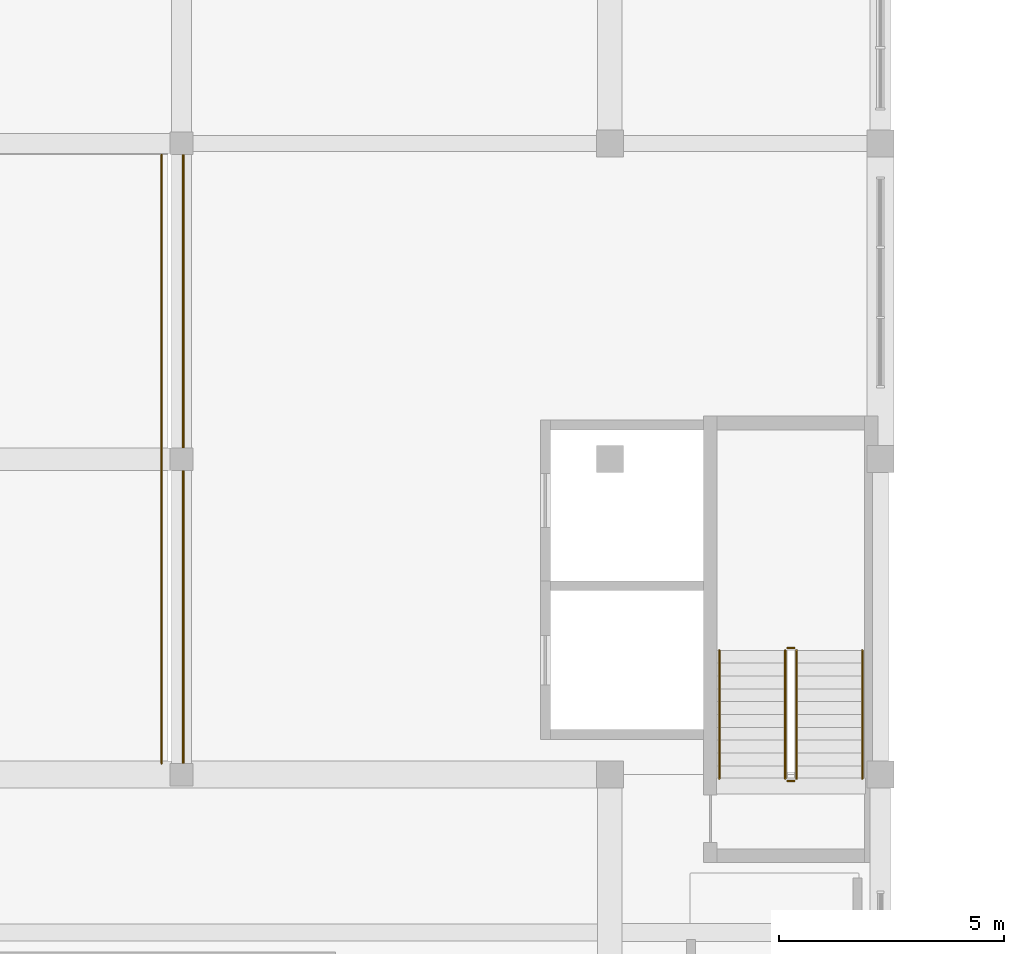
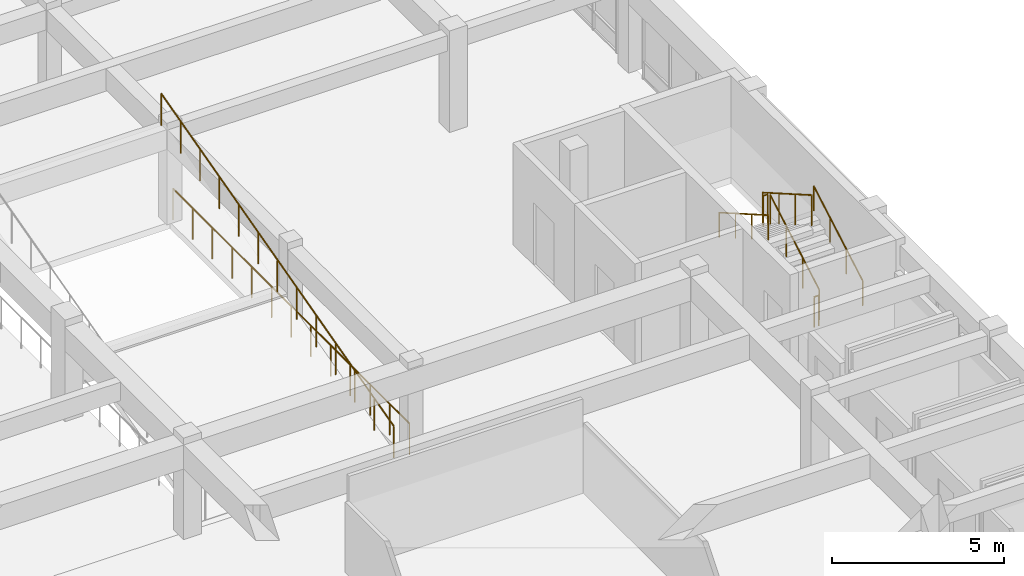
# One storey, part 30 of 33: 8 railings.
"""IFC4 building model written with IfcOpenShell, lengths in metres."""

from ifc_helpers import new_model, si_unit, direction, frame, origin, origin_2d, place, context, subcontext, project, spatial, circle, extrude, material, type_object, element, save


model = new_model("IFC4")

# Units and contexts
model_context = context("Model", 3, precision=1e-05, world=origin(), true_north=direction((0.0, 1.0)))
body_context = subcontext(model_context, "Body", "Model", "MODEL_VIEW")
ifc_project = project(units=[si_unit("LENGTHUNIT", "METRE"), si_unit("AREAUNIT", "SQUARE_METRE"), si_unit("VOLUMEUNIT", "CUBIC_METRE"), si_unit("PLANEANGLEUNIT", "RADIAN"), si_unit("MASSUNIT", "GRAM", prefix="KILO")], contexts=[model_context])

# Site, building, storey
site_placement = place(None, origin())
site = spatial("IfcSite", under=ifc_project, at=site_placement, CompositionType="ELEMENT")
building_placement = place(site_placement, origin())
building = spatial("IfcBuilding", under=site, at=building_placement, Name="Larkveld Mobility Hub", CompositionType="ELEMENT")
storey_placement = place(building_placement, frame((0.0, 0.0, 15.60009765625)))
storey = spatial("IfcBuildingStorey", under=building, at=storey_placement, Name="L04", CompositionType="ELEMENT", Elevation=15.60009765625)

# Railings
ifc_material_1 = material(Name="Galvanized Steel S355JR balustrade", Category="steel")
railing_type_1 = type_object("IfcRailingType", Name="RL-GRD-1100", PredefinedType="GUARDRAIL", material=ifc_material_1)
railing_1_placement = place(storey_placement, frame((150.139892578125, 55.909912109375, 0.16357421875)))
element("IfcRailing", 1, at=railing_1_placement, inside=storey, type_object=railing_type_1, Name="L04 ST2 stair guard 1", PredefinedType="GUARDRAIL", context=body_context, shape_type="SweptSolid", body=[
    extrude(circle(Radius=0.02392578125, at=origin_2d()), frame((0.0, 0.0, 1.076171875), z_axis=(0.0, 0.867244780686, 0.497882004468), x_axis=(-1.0, 0.0, 0.0)), (0.0, 0.0, 1.0), 3.286376953125),
    extrude(circle(Radius=0.02099609375, at=origin_2d()), origin(), (0.0, 0.0, 1.0), 1.052001953125),
    extrude(circle(Radius=0.02099609375, at=origin_2d()), frame((0.0, 0.949951171875, 0.54541015625)), (0.0, 0.0, 1.0), 1.052001953125),
    extrude(circle(Radius=0.02099609375, at=origin_2d()), frame((0.0, 1.900146484375, 1.0908203125)), (0.0, 0.0, 1.0), 1.052001953125),
    extrude(circle(Radius=0.02099609375, at=origin_2d()), frame((0.0, 2.85009765625, 1.63623046875)), (0.0, 0.0, 1.0), 1.052001953125),
])
railing_2_placement = place(storey_placement, frame((150.090087890625, 58.81005859375, 1.7998046875)))
element("IfcRailing", 2, at=railing_2_placement, inside=storey, type_object=railing_type_1, Name="L04 ST2 stair guard 2", PredefinedType="GUARDRAIL", context=body_context, shape_type="SweptSolid", body=[
    extrude(circle(Radius=0.02392578125, at=origin_2d()), frame((0.0, 0.0, 1.076171875), z_axis=(-1.0, 0.0, 0.0), x_axis=(0.0, -1.0, 0.0)), (0.0, 0.0, 1.0), 0.150146484375),
    extrude(circle(Radius=0.02099609375, at=origin_2d()), origin(), (0.0, 0.0, 1.0), 1.052001953125),
    extrude(circle(Radius=0.02099609375, at=origin_2d()), frame((-0.150146484375, 0.0, 0.0)), (0.0, 0.0, 1.0), 1.052001953125),
])
railing_3_placement = place(storey_placement, frame((149.889892578125, 58.760009765625, 1.963623046875)))
element("IfcRailing", 3, at=railing_3_placement, inside=storey, type_object=railing_type_1, Name="L04 ST2 stair guard 3", PredefinedType="GUARDRAIL", context=body_context, shape_type="SweptSolid", body=[
    extrude(circle(Radius=0.02392578125, at=origin_2d()), frame((0.0, 0.0, 1.076171875), z_axis=(0.0, -0.867244780686, 0.497882004468), x_axis=(1.0, 0.0, 0.0)), (0.0, 0.0, 1.0), 3.286376953125),
    extrude(circle(Radius=0.02099609375, at=origin_2d()), origin(), (0.0, 0.0, 1.0), 1.052001953125),
    extrude(circle(Radius=0.02099609375, at=origin_2d()), frame((0.0, -0.949951171875, 0.54541015625)), (0.0, 0.0, 1.0), 1.052001953125),
    extrude(circle(Radius=0.02099609375, at=origin_2d()), frame((0.0, -1.900146484375, 1.0908203125)), (0.0, 0.0, 1.0), 1.052001953125),
    extrude(circle(Radius=0.02099609375, at=origin_2d()), frame((0.0, -2.85009765625, 1.63623046875)), (0.0, 0.0, 1.0), 1.052001953125),
])
railing_4_placement = place(storey_placement, frame((150.090087890625, 55.860107421875, 0.0)))
element("IfcRailing", 4, at=railing_4_placement, inside=storey, type_object=railing_type_1, Name="L04 ST2 stair guard 4", PredefinedType="GUARDRAIL", context=body_context, shape_type="SweptSolid", body=[
    extrude(circle(Radius=0.02392578125, at=origin_2d()), frame((0.0, 0.0, 1.076171875), z_axis=(-1.0, 0.0, 0.0), x_axis=(0.0, -1.0, 0.0)), (0.0, 0.0, 1.0), 0.150146484375),
    extrude(circle(Radius=0.02099609375, at=origin_2d()), origin(), (0.0, 0.0, 1.0), 1.052001953125),
    extrude(circle(Radius=0.02099609375, at=origin_2d()), frame((-0.150146484375, 0.0, 0.0)), (0.0, 0.0, 1.0), 1.052001953125),
])
ifc_material_2 = material(Name="Galvanized Steel S355JR void balustrade", Category="steel")
railing_type_2 = type_object("IfcRailingType", Name="RL-GRD-1120", PredefinedType="GUARDRAIL", material=ifc_material_2)
railing_5_placement = place(storey_placement, frame((136.5400390625, 56.159912109375, 0.0)))
element("IfcRailing", 5, at=railing_5_placement, inside=storey, type_object=railing_type_2, Name="EV Ramp Void East Guard L04 L04-065", PredefinedType="GUARDRAIL", context=body_context, shape_type="SweptSolid", body=[
    extrude(circle(Radius=0.02392578125, at=origin_2d()), frame((0.0, 0.0, 1.09619140625), z_axis=(0.0, 1.0, 0.0), x_axis=(-1.0, 0.0, 0.0)), (0.0, 0.0, 1.0), 13.739990234375),
    extrude(circle(Radius=0.02099609375, at=origin_2d()), origin(), (0.0, 0.0, 1.0), 1.072021484375),
    extrude(circle(Radius=0.02099609375, at=origin_2d()), frame((0.0, 1.14501953125, 0.0)), (0.0, 0.0, 1.0), 1.072021484375),
    extrude(circle(Radius=0.02099609375, at=origin_2d()), frame((0.0, 2.2900390625, 0.0)), (0.0, 0.0, 1.0), 1.072021484375),
    extrude(circle(Radius=0.02099609375, at=origin_2d()), frame((0.0, 3.43505859375, 0.0)), (0.0, 0.0, 1.0), 1.072021484375),
    extrude(circle(Radius=0.02099609375, at=origin_2d()), frame((0.0, 4.580078125, 0.0)), (0.0, 0.0, 1.0), 1.072021484375),
    extrude(circle(Radius=0.02099609375, at=origin_2d()), frame((0.0, 5.72509765625, 0.0)), (0.0, 0.0, 1.0), 1.072021484375),
    extrude(circle(Radius=0.02099609375, at=origin_2d()), frame((0.0, 6.8701171875, 0.0)), (0.0, 0.0, 1.0), 1.072021484375),
    extrude(circle(Radius=0.02099609375, at=origin_2d()), frame((0.0, 8.014892578125, 0.0)), (0.0, 0.0, 1.0), 1.072021484375),
    extrude(circle(Radius=0.02099609375, at=origin_2d()), frame((0.0, 9.159912109375, 0.0)), (0.0, 0.0, 1.0), 1.072021484375),
    extrude(circle(Radius=0.02099609375, at=origin_2d()), frame((0.0, 10.304931640625, 0.0)), (0.0, 0.0, 1.0), 1.072021484375),
    extrude(circle(Radius=0.02099609375, at=origin_2d()), frame((0.0, 11.449951171875, 0.0)), (0.0, 0.0, 1.0), 1.072021484375),
    extrude(circle(Radius=0.02099609375, at=origin_2d()), frame((0.0, 12.594970703125, 0.0)), (0.0, 0.0, 1.0), 1.072021484375),
    extrude(circle(Radius=0.02099609375, at=origin_2d()), frame((0.0, 13.739990234375, 0.0)), (0.0, 0.0, 1.0), 1.072021484375),
])
ifc_material_3 = material(Name="Galvanized Steel S355JR vehicle-deck guard", Category="steel")
railing_type_3 = type_object("IfcRailingType", Name="RL-GRD-RMP", PredefinedType="GUARDRAIL", material=ifc_material_3)
railing_6_placement = place(storey_placement, frame((136.06005859375, 56.25, 0.0)))
element("IfcRailing", 6, at=railing_6_placement, inside=storey, type_object=railing_type_3, Name="EV Ramp East Sloped Guard L04-036", PredefinedType="GUARDRAIL", context=body_context, shape_type="SweptSolid", body=[
    extrude(circle(Radius=0.02392578125, at=origin_2d()), frame((0.0, 0.0, 1.1259765625), z_axis=(0.0, 0.966237549763, 0.257652862255), x_axis=(-1.0, 0.0, 0.0)), (0.0, 0.0, 1.0), 13.9716796875),
    extrude(circle(Radius=0.02099609375, at=origin_2d()), origin(), (0.0, 0.0, 1.0), 1.101806640625),
    extrude(circle(Radius=0.02099609375, at=origin_2d()), frame((0.0, 1.125, 0.300048828125)), (0.0, 0.0, 1.0), 1.101806640625),
    extrude(circle(Radius=0.02099609375, at=origin_2d()), frame((0.0, 2.25, 0.60009765625)), (0.0, 0.0, 1.0), 1.101806640625),
    extrude(circle(Radius=0.02099609375, at=origin_2d()), frame((0.0, 3.375, 0.89990234375)), (0.0, 0.0, 1.0), 1.101806640625),
    extrude(circle(Radius=0.02099609375, at=origin_2d()), frame((0.0, 4.5, 1.199951171875)), (0.0, 0.0, 1.0), 1.101806640625),
    extrude(circle(Radius=0.02099609375, at=origin_2d()), frame((0.0, 5.625, 1.5)), (0.0, 0.0, 1.0), 1.101806640625),
    extrude(circle(Radius=0.02099609375, at=origin_2d()), frame((0.0, 6.75, 1.7998046875)), (0.0, 0.0, 1.0), 1.101806640625),
    extrude(circle(Radius=0.02099609375, at=origin_2d()), frame((0.0, 7.875, 2.099853515625)), (0.0, 0.0, 1.0), 1.101806640625),
    extrude(circle(Radius=0.02099609375, at=origin_2d()), frame((0.0, 9.0, 2.39990234375)), (0.0, 0.0, 1.0), 1.101806640625),
    extrude(circle(Radius=0.02099609375, at=origin_2d()), frame((0.0, 10.125, 2.699951171875)), (0.0, 0.0, 1.0), 1.101806640625),
    extrude(circle(Radius=0.02099609375, at=origin_2d()), frame((0.0, 11.25, 3.0)), (0.0, 0.0, 1.0), 1.101806640625),
    extrude(circle(Radius=0.02099609375, at=origin_2d()), frame((0.0, 12.375, 3.2998046875)), (0.0, 0.0, 1.0), 1.101806640625),
    extrude(circle(Radius=0.02099609375, at=origin_2d()), frame((0.0, 13.5, 3.599853515625)), (0.0, 0.0, 1.0), 1.101806640625),
])
ifc_material_4 = material(Name="Brushed Steel S355JR tubular handrail", Category="steel")
railing_type_4 = type_object("IfcRailingType", Name="RL-HND-0900", PredefinedType="HANDRAIL", material=ifc_material_4)
railing_7_placement = place(storey_placement, frame((151.60009765625, 55.909912109375, 0.16357421875)))
element("IfcRailing", 7, at=railing_7_placement, inside=storey, type_object=railing_type_4, Name="L04 ST2 stair handrail 1", PredefinedType="HANDRAIL", context=body_context, shape_type="SweptSolid", body=[
    extrude(circle(Radius=0.02392578125, at=origin_2d()), frame((0.0, 0.0, 0.8759765625), z_axis=(0.0, 0.867244780686, 0.497882004468), x_axis=(-1.0, 0.0, 0.0)), (0.0, 0.0, 1.0), 3.286376953125),
    extrude(circle(Radius=0.02099609375, at=origin_2d()), origin(), (0.0, 0.0, 1.0), 0.851806640625),
    extrude(circle(Radius=0.02099609375, at=origin_2d()), frame((0.0, 0.949951171875, 0.54541015625)), (0.0, 0.0, 1.0), 0.851806640625),
    extrude(circle(Radius=0.02099609375, at=origin_2d()), frame((0.0, 1.900146484375, 1.0908203125)), (0.0, 0.0, 1.0), 0.851806640625),
    extrude(circle(Radius=0.02099609375, at=origin_2d()), frame((0.0, 2.85009765625, 1.63623046875)), (0.0, 0.0, 1.0), 0.851806640625),
])
railing_8_placement = place(storey_placement, frame((148.429931640625, 58.760009765625, 1.963623046875)))
element("IfcRailing", 8, at=railing_8_placement, inside=storey, type_object=railing_type_4, Name="L04 ST2 stair handrail 2", PredefinedType="HANDRAIL", context=body_context, shape_type="SweptSolid", body=[
    extrude(circle(Radius=0.02392578125, at=origin_2d()), frame((0.0, 0.0, 0.8759765625), z_axis=(0.0, -0.867244780686, 0.497882004468), x_axis=(1.0, 0.0, 0.0)), (0.0, 0.0, 1.0), 3.286376953125),
    extrude(circle(Radius=0.02099609375, at=origin_2d()), origin(), (0.0, 0.0, 1.0), 0.851806640625),
    extrude(circle(Radius=0.02099609375, at=origin_2d()), frame((0.0, -0.949951171875, 0.54541015625)), (0.0, 0.0, 1.0), 0.851806640625),
    extrude(circle(Radius=0.02099609375, at=origin_2d()), frame((0.0, -1.900146484375, 1.0908203125)), (0.0, 0.0, 1.0), 0.851806640625),
    extrude(circle(Radius=0.02099609375, at=origin_2d()), frame((0.0, -2.85009765625, 1.63623046875)), (0.0, 0.0, 1.0), 0.851806640625),
])

save(model, "model.ifc")
